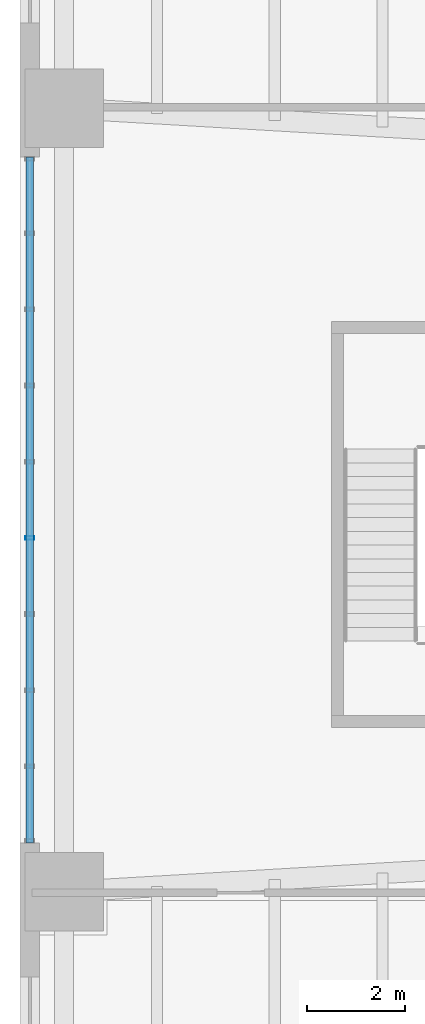
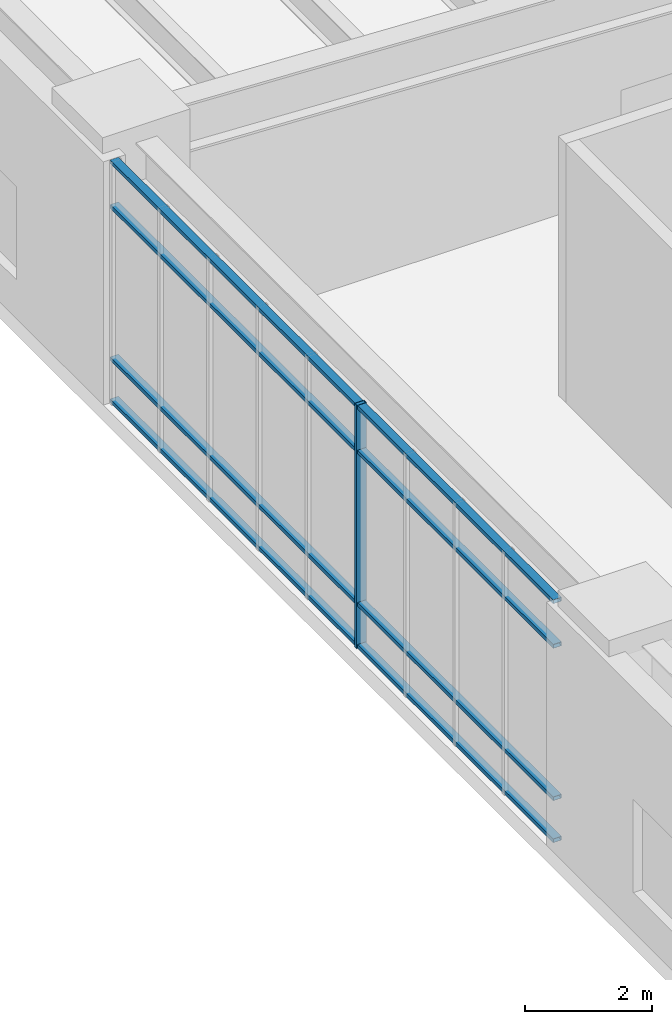
# One storey, part 4 of 18: 5 members, 1 element without a shape of its own.
"""IFC4 building model written with IfcOpenShell, lengths in metres."""

from ifc_helpers import new_model, si_unit, direction, frame, origin, origin_2d, place, context, subcontext, project, spatial, hollow_rectangle, extrude, material, layer, layer_set, material_profile, profile_set, type_object, element, aggregate, save


model = new_model("IFC4")

# Units and contexts
model_context = context("Model", 3, precision=1e-05, world=origin(), true_north=direction((0.0, 1.0)))
body_context = subcontext(model_context, "Body", "Model", "MODEL_VIEW")
ifc_project = project(units=[si_unit("LENGTHUNIT", "METRE"), si_unit("AREAUNIT", "SQUARE_METRE"), si_unit("VOLUMEUNIT", "CUBIC_METRE"), si_unit("PLANEANGLEUNIT", "RADIAN"), si_unit("MASSUNIT", "GRAM", prefix="KILO"), si_unit("THERMODYNAMICTEMPERATUREUNIT", "KELVIN"), si_unit("POWERUNIT", "WATT")], contexts=[model_context])

# Site, building, storey
site_placement = place(None, origin())
site = spatial("IfcSite", under=ifc_project, at=site_placement, CompositionType="ELEMENT")
building_placement = place(site_placement, origin())
building = spatial("IfcBuilding", under=site, at=building_placement, Name="Skarre Station Tower", CompositionType="ELEMENT")
storey_placement = place(building_placement, frame((0.0, 0.0, 11.0)))
storey = spatial("IfcBuildingStorey", under=building, at=storey_placement, Name="L03", CompositionType="ELEMENT", Elevation=11.0)

# Curtain wall, members
ifc_material_1 = material(Name="Thermally Broken Bronze-Anodized Aluminium & Triple Low-E Glass", Category="aluminium")
ifc_layer = layer(ifc_material_1, 0.239990234375, Name="Thermally Broken Bronze-Anodized Aluminium & Triple Low-E Glass")
ifc_layer_set = layer_set([ifc_layer], Name="Thermally Broken Bronze-Anodized Aluminium & Triple Low-E Glass")
curtain_wall_type = type_object("IfcCurtainWallType", Name="Station Concourse Monumental Unitised Curtain Wall", PredefinedType="NOTDEFINED", material=ifc_layer_set)
curtain_wall_placement = place(storey_placement, origin())
curtain_wall = element("IfcCurtainWall", 1, at=curtain_wall_placement, inside=storey, type_object=curtain_wall_type, Name="L03 West Atrium Clerestory Curtain Wall", PredefinedType="NOTDEFINED")
ifc_material_2 = material(Name="Anodized Aluminium 6063-T6", Category="aluminium")
ifc_material_profile_1 = material_profile(ifc_material_2, hollow_rectangle(XDim=0.074951171875, YDim=0.179931640625, WallThickness=0.00390625, at=origin_2d()), Name="Anodized Aluminium 6063-T6")
ifc_profile_set_1 = profile_set([ifc_material_profile_1], Name="Anodized Aluminium 6063-T6")
member_type_1 = type_object("IfcMemberType", Name="Curtain-Wall Heavy Concourse Mullion 180x75", PredefinedType="MULLION", material=ifc_profile_set_1)
member_1_placement = place(storey_placement, frame((0.199951171875, 23.221923828125, 0.0), z_axis=(0.0, 0.0, 1.0), x_axis=(0.0, 1.0, 0.0)))
member_1 = element("IfcMember", 2, at=member_1_placement, type_object=member_type_1, Name="L03 West Atrium Clerestory Curtain Wall Mullion 5", PredefinedType="MULLION", context=body_context, shape_type="SweptSolid", body=[
    extrude(hollow_rectangle(XDim=0.074951171875, YDim=0.179931640625, WallThickness=0.00390625, at=origin_2d()), origin(), (0.0, 0.0, 1.0), 4.68994140625),
])
ifc_material_profile_2 = material_profile(ifc_material_2, hollow_rectangle(XDim=0.074951171875, YDim=0.14990234375, WallThickness=0.00390625, at=origin_2d()), Name="Anodized Aluminium 6063-T6")
ifc_profile_set_2 = profile_set([ifc_material_profile_2], Name="Anodized Aluminium 6063-T6")
member_type_2 = type_object("IfcMemberType", Name="Curtain-Wall Horizontal Transom 150x75", PredefinedType="USERDEFINED", material=ifc_profile_set_2)
member_2_placement = place(storey_placement, frame((0.199951171875, 17.0, 0.0400390625), z_axis=(0.0, 1.0, 0.0), x_axis=(0.0, 0.0, 1.0)))
member_2 = element("IfcMember", 3, at=member_2_placement, type_object=member_type_2, Name="L03 West Atrium Clerestory Curtain Wall Transom 1", ObjectType="TRANSOM", PredefinedType="USERDEFINED", context=body_context, shape_type="SweptSolid", body=[
    extrude(hollow_rectangle(XDim=0.074951171875, YDim=0.14990234375, WallThickness=0.00390625, at=origin_2d()), origin(), (0.0, 0.0, 1.0), 14.0),
])
member_3_placement = place(storey_placement, frame((0.199951171875, 17.0, 0.85009765625), z_axis=(0.0, 1.0, 0.0), x_axis=(0.0, 0.0, 1.0)))
member_3 = element("IfcMember", 4, at=member_3_placement, type_object=member_type_2, Name="L03 West Atrium Clerestory Curtain Wall Transom 2", ObjectType="TRANSOM", PredefinedType="USERDEFINED", context=body_context, shape_type="SweptSolid", body=[
    extrude(hollow_rectangle(XDim=0.074951171875, YDim=0.14990234375, WallThickness=0.00390625, at=origin_2d()), origin(), (0.0, 0.0, 1.0), 14.0),
])
member_4_placement = place(storey_placement, frame((0.199951171875, 17.0, 3.7900390625), z_axis=(0.0, 1.0, 0.0), x_axis=(0.0, 0.0, 1.0)))
member_4 = element("IfcMember", 5, at=member_4_placement, type_object=member_type_2, Name="L03 West Atrium Clerestory Curtain Wall Transom 3", ObjectType="TRANSOM", PredefinedType="USERDEFINED", context=body_context, shape_type="SweptSolid", body=[
    extrude(hollow_rectangle(XDim=0.074951171875, YDim=0.14990234375, WallThickness=0.00390625, at=origin_2d()), origin(), (0.0, 0.0, 1.0), 14.0),
])
member_5_placement = place(storey_placement, frame((0.199951171875, 17.0, 4.64990234375), z_axis=(0.0, 1.0, 0.0), x_axis=(0.0, 0.0, 1.0)))
member_5 = element("IfcMember", 6, at=member_5_placement, type_object=member_type_2, Name="L03 West Atrium Clerestory Curtain Wall Transom 4", ObjectType="TRANSOM", PredefinedType="USERDEFINED", context=body_context, shape_type="SweptSolid", body=[
    extrude(hollow_rectangle(XDim=0.074951171875, YDim=0.14990234375, WallThickness=0.00390625, at=origin_2d()), origin(), (0.0, 0.0, 1.0), 14.0),
])
aggregate(curtain_wall, [member_1, member_2, member_3, member_4, member_5])

save(model, "model.ifc")
